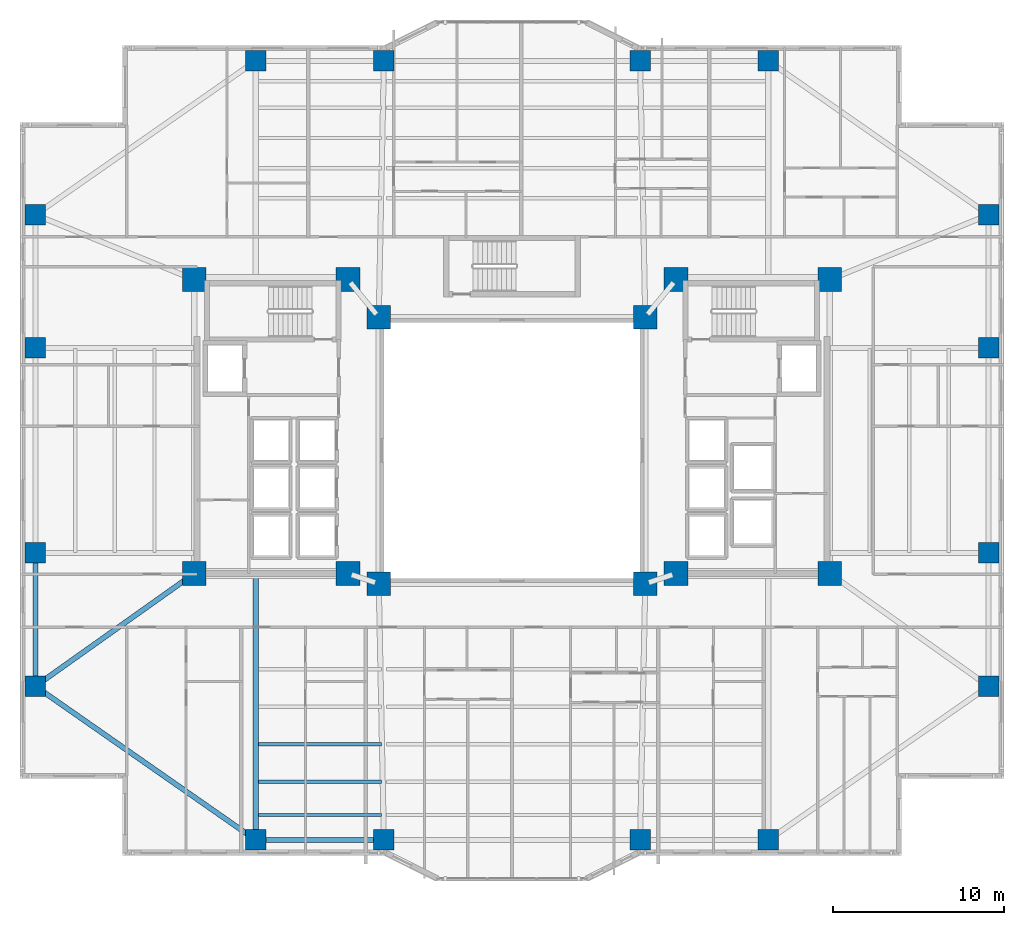
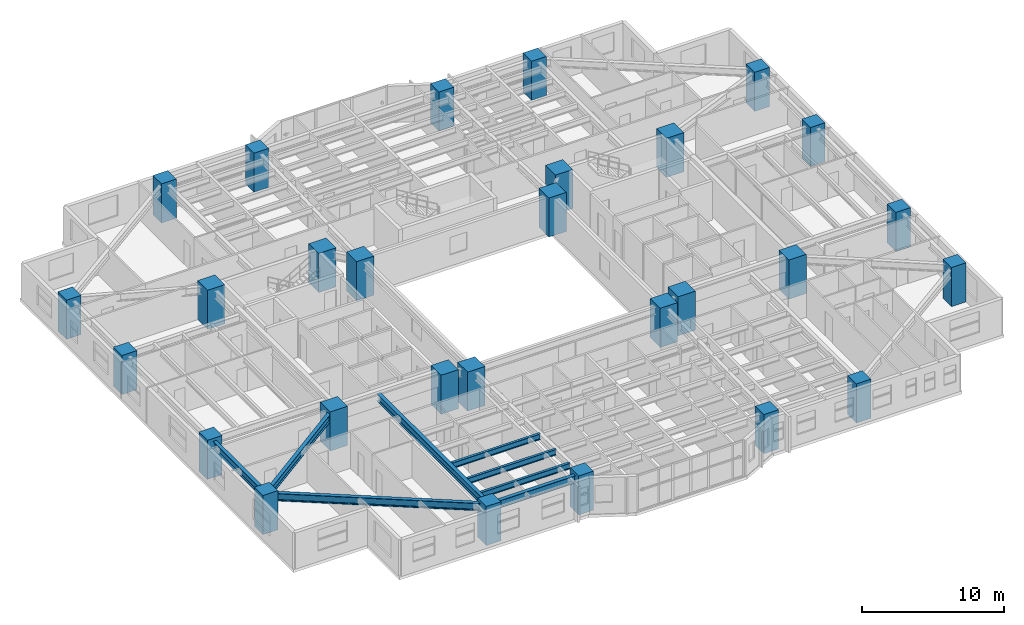
# One storey, part 1 of 22: 28 columns, 8 beams.
"""IFC4 building model written with IfcOpenShell, lengths in metres."""

import ifcopenshell
import ifcopenshell.guid

model = None  # the IFC model being written
_history = None  # IfcOwnerHistory: only IFC2X3 demands one
_inside = {}  # id of a spatial element -> (the spatial element, [elements in it])
_under = {}  # id of a project, library or spatial element -> (it, [spatial elements below it])
_declared = {}  # id of a project -> (the project, [libraries it declares])
_typed = {}  # id of a type object -> (the type object, [elements of that type])
_made_of = {}  # id of a material, layer set ... -> (it, [elements and type objects made of it])


def new_model(schema):
    """Start an empty IFC model of exactly this schema.

    Asked for "IFC4X3", IfcOpenShell would pick the latest addendum, in which some entities
    have other attributes; the version numbers below select the first issue.
    IFC2X3 requires an IfcOwnerHistory on every rooted entity: one is made here for all.
    """
    global model, _history
    if schema == "IFC4X3":
        model = ifcopenshell.file(schema_version=(4, 3, 0, 0))
    else:
        model = ifcopenshell.file(schema=schema)
    _inside.clear()
    _under.clear()
    _declared.clear()
    _typed.clear()
    _made_of.clear()
    _history = None
    if model.schema == "IFC2X3":
        org = make("IfcOrganization", Name="unknown")
        user = make(
            "IfcPersonAndOrganization",
            ThePerson=make("IfcPerson", FamilyName="unknown"),
            TheOrganization=org,
        )
        app = make(
            "IfcApplication",
            ApplicationDeveloper=org,
            Version="unknown",
            ApplicationFullName="unknown",
            ApplicationIdentifier="unknown",
        )
        _history = make(
            "IfcOwnerHistory",
            OwningUser=user,
            OwningApplication=app,
            ChangeAction="ADDED",
            CreationDate=0,
        )
    return model


def make(cls, **values):
    """One entity of the class cls with the attributes given. An attribute that is None is left unset."""
    return model.create_entity(
        cls, **{name: value for name, value in values.items() if value is not None}
    )


def rooted(cls, **values):
    """An entity with a GlobalId (a new one), such as an element, a storey or a relation."""
    return make(cls, GlobalId=ifcopenshell.guid.new(), OwnerHistory=_history, **values)


def si_unit(unit_type, name, prefix=None):
    """IfcSIUnit, for example si_unit("LENGTHUNIT", "METRE", prefix="MILLI")."""
    return make("IfcSIUnit", UnitType=unit_type, Prefix=prefix, Name=name)


def assignment(units):
    """IfcUnitAssignment: the units of a project."""
    return None if units is None else make("IfcUnitAssignment", Units=units)


def point(xyz):
    """IfcCartesianPoint."""
    return None if xyz is None else make("IfcCartesianPoint", Coordinates=xyz)


def direction(xyz):
    """IfcDirection."""
    return None if xyz is None else make("IfcDirection", DirectionRatios=xyz)


def frame(location, z_axis=None, x_axis=None):
    """IfcAxis2Placement3D, a coordinate frame: its origin and axes. An axis left out is left unset."""
    return make(
        "IfcAxis2Placement3D",
        Location=point(location),
        Axis=direction(z_axis),
        RefDirection=direction(x_axis),
    )


def frame_2d(location, x_axis=None):
    """IfcAxis2Placement2D, a coordinate frame in the plane: its origin and x axis."""
    return make(
        "IfcAxis2Placement2D", Location=point(location), RefDirection=direction(x_axis)
    )


def origin():
    """The frame at (0, 0, 0) with its axes left unset."""
    return frame((0.0, 0.0, 0.0))


def origin_2d():
    """The frame at (0, 0) in the plane with its x axis left unset."""
    return frame_2d((0.0, 0.0))


def place(relative_to, where):
    """IfcLocalPlacement: puts the frame where relative to a parent placement (None: the world)."""
    return make(
        "IfcLocalPlacement", PlacementRelTo=relative_to, RelativePlacement=where
    )


def context(
    kind, dimensions, precision=None, world=None, true_north=None, identifier=None
):
    """IfcGeometricRepresentationContext, for example the 3D "Model" context."""
    return make(
        "IfcGeometricRepresentationContext",
        ContextIdentifier=identifier,
        ContextType=kind,
        CoordinateSpaceDimension=dimensions,
        Precision=precision,
        WorldCoordinateSystem=world,
        TrueNorth=true_north,
    )


def subcontext(parent, identifier, kind, view, scale=None):
    """IfcGeometricRepresentationSubContext, for example "Body" below "Model"."""
    return make(
        "IfcGeometricRepresentationSubContext",
        ContextIdentifier=identifier,
        ContextType=kind,
        ParentContext=parent,
        TargetScale=scale,
        TargetView=view,
    )


def project(units=None, contexts=None):
    """IfcProject with its units and contexts."""
    return rooted(
        "IfcProject",
        Name="project",
        RepresentationContexts=contexts,
        UnitsInContext=assignment(units),
    )


def spatial(cls, under=None, at=None, **own):
    """A site, building, storey or space (cls), placed at a placement, below another one or the project."""
    s = rooted(cls, ObjectPlacement=at, **own)
    if under is not None:
        _under.setdefault(under.id(), (under, []))[1].append(s)
    return s


def profile(cls, at=None, kind="AREA", **sizes):
    """A parametric profile (cls). Its sizes go by their IFC names, for example OverallWidth=200.0."""
    return make(cls, ProfileType=kind, Position=at, **sizes)


def rectangle(**sizes):
    """IfcRectangleProfileDef."""
    return profile("IfcRectangleProfileDef", **sizes)


def i_section(**sizes):
    """IfcIShapeProfileDef."""
    return profile("IfcIShapeProfileDef", **sizes)


def extrude(swept, where, along, depth):
    """IfcExtrudedAreaSolid: the profile swept, set in the frame where, extruded along a direction by depth."""
    return make(
        "IfcExtrudedAreaSolid",
        SweptArea=swept,
        Position=where,
        ExtrudedDirection=direction(along),
        Depth=depth,
    )


def shape(context_of_items, identifier, shape_type, items):
    """IfcShapeRepresentation: the items that make up one representation, for example the "Body"."""
    return make(
        "IfcShapeRepresentation",
        ContextOfItems=context_of_items,
        RepresentationIdentifier=identifier,
        RepresentationType=shape_type,
        Items=items,
    )


def material(Name=None, Category=None):
    """IfcMaterial."""
    return make("IfcMaterial", Name=Name, Category=Category)


def material_profile(
    of_material, cross_section, Name=None, Category=None, Priority=None
):
    """IfcMaterialProfile: a cross section and its material."""
    return make(
        "IfcMaterialProfile",
        Name=Name,
        Material=of_material,
        Profile=cross_section,
        Priority=Priority,
        Category=Category,
    )


def profile_set(profiles, Name=None, composite=None):
    """IfcMaterialProfileSet."""
    return make(
        "IfcMaterialProfileSet",
        Name=Name,
        MaterialProfiles=profiles,
        CompositeProfile=composite,
    )


def made_of(thing, what):
    """Note that an element or type object is made of a material, layer set ...; save() writes the relation."""
    if what is not None:
        _made_of.setdefault(what.id(), (what, []))[1].append(thing)
    return thing


def type_object(cls, material=None, **own):
    """A type object (cls), such as IfcWallType, which elements share."""
    return made_of(rooted(cls, **own), material)


def element(
    cls,
    number,
    at=None,
    inside=None,
    cuts=None,
    type_object=None,
    material=None,
    context=None,
    identifier="Body",
    shape_type=None,
    held_by="IfcProductDefinitionShape",
    body=None,
    shapes=None,
    **own,
):
    """One element of the class cls, such as IfcWall. Its Tag is "e" and its number.

    at: its placement. inside: the storey or other place that contains it. cuts: it is an
    opening in that element (IfcRelVoidsElement). A single representation is given by context,
    identifier, shape_type and body (its items); several are given by shapes. held_by: the class
    of the entity that holds the representations. save() writes the other relations.
    """
    e = rooted(cls, Tag="e%d" % number, ObjectPlacement=at, **own)
    if body is not None:
        shapes = [shape(context, identifier, shape_type, body)]
    if shapes is not None:
        e.Representation = make(held_by, Representations=shapes)
    if inside is not None:
        _inside.setdefault(inside.id(), (inside, []))[1].append(e)
    if cuts is not None:
        rooted(
            "IfcRelVoidsElement", RelatingBuildingElement=cuts, RelatedOpeningElement=e
        )
    if type_object is not None:
        _typed.setdefault(type_object.id(), (type_object, []))[1].append(e)
    return made_of(e, material)


def aggregate(whole, parts):
    """IfcRelAggregates: a whole, such as a stair, and the parts it consists of."""
    return rooted("IfcRelAggregates", RelatingObject=whole, RelatedObjects=parts)


def save(model, path):
    """Write the relations noted so far, then the file.

    IfcRelAggregates (storeys below a building ...), IfcRelContainedInSpatialStructure (elements
    in a storey), IfcRelDefinesByType, IfcRelAssociatesMaterial and IfcRelDeclares: one each for
    every whole, place, type object, material and project.
    """
    for whole, parts in _under.values():
        aggregate(whole, parts)
    for where, things in _inside.values():
        rooted(
            "IfcRelContainedInSpatialStructure",
            RelatedElements=things,
            RelatingStructure=where,
        )
    for kind, things in _typed.values():
        rooted("IfcRelDefinesByType", RelatedObjects=things, RelatingType=kind)
    for what, things in _made_of.values():
        rooted("IfcRelAssociatesMaterial", RelatedObjects=things, RelatingMaterial=what)
    for by, libraries in _declared.values():
        rooted("IfcRelDeclares", RelatingContext=by, RelatedDefinitions=libraries)
    model.write(path)


model = new_model("IFC4")

# Units and contexts
model_context = context("Model", 3, precision=1e-05, world=origin(), true_north=direction((0.0, 1.0)))
body_context = subcontext(model_context, "Body", "Model", "MODEL_VIEW")
ifc_project = project(units=[si_unit("LENGTHUNIT", "METRE"), si_unit("AREAUNIT", "SQUARE_METRE"), si_unit("VOLUMEUNIT", "CUBIC_METRE"), si_unit("PLANEANGLEUNIT", "RADIAN"), si_unit("MASSUNIT", "GRAM", prefix="KILO")], contexts=[model_context])

# Site, building, storey
site_placement = place(None, origin())
site = spatial("IfcSite", under=ifc_project, at=site_placement, CompositionType="ELEMENT")
building_placement = place(site_placement, origin())
building = spatial("IfcBuilding", under=site, at=building_placement, Name="Tarnavaz Court Tower", CompositionType="ELEMENT")
storey_placement = place(building_placement, frame((0.0, 0.0, 57.5)))
storey = spatial("IfcBuildingStorey", under=building, at=storey_placement, Name="L15", CompositionType="ELEMENT", Elevation=57.5)

# Columns
ifc_material_1 = material(Name="Concrete C60/75", Category="concrete")
ifc_material_profile_1 = material_profile(ifc_material_1, rectangle(XDim=1.199951171875, YDim=1.199951171875, at=origin_2d()), Name="RC 1200X1200")
ifc_profile_set_1 = profile_set([ifc_material_profile_1], Name="Concrete C60/75")
column_type_1 = type_object("IfcColumnType", Name="CL-RC1200", PredefinedType="COLUMN", material=ifc_profile_set_1)
for number, where, z_axis, x_axis, name in (
    (1, (-15.0, 22.800048828125, 0.0), (0.0, 0.0, 1.0), (1.0, 0.0, 0.0), "L15 Column PN-1"),
    (2, (-7.5, 22.800048828125, 0.0), (0.0, 0.0, 1.0), (1.0, 0.0, 0.0), "L15 Column PN-2"),
    (3, (7.5, 22.800048828125, 0.0), (0.0, 0.0, 1.0), (1.0, 0.0, 0.0), "L15 Column PN-3"),
    (4, (15.0, 22.800048828125, 0.0), (0.0, 0.0, 1.0), (1.0, 0.0, 0.0), "L15 Column PN-4"),
    (5, (-15.0, -22.800048828125, 0.0), (0.0, 0.0, 1.0), (1.0, 0.0, 0.0), "L15 Column PS-1"),
    (6, (-7.5, -22.800048828125, 0.0), (0.0, 0.0, 1.0), (1.0, 0.0, 0.0), "L15 Column PS-2"),
    (7, (7.5, -22.800048828125, 0.0), (0.0, 0.0, 1.0), (1.0, 0.0, 0.0), "L15 Column PS-3"),
    (8, (15.0, -22.800048828125, 0.0), (0.0, 0.0, 1.0), (1.0, 0.0, 0.0), "L15 Column PS-4"),
    (9, (27.89990234375, -13.800048828125, 0.0), (0.0, 0.0, 1.0), (1.0, 0.0, 0.0), "L15 Column PE-1"),
    (10, (27.89990234375, -6.0, 0.0), (0.0, 0.0, 1.0), (1.0, 0.0, 0.0), "L15 Column PE-2"),
    (11, (27.89990234375, 6.0, 0.0), (0.0, 0.0, 1.0), (1.0, 0.0, 0.0), "L15 Column PE-3"),
    (12, (27.89990234375, 13.800048828125, 0.0), (0.0, 0.0, 1.0), (1.0, 0.0, 0.0), "L15 Column PE-4"),
    (13, (-27.89990234375, -13.800048828125, 0.0), (0.0, 0.0, 1.0), (1.0, 0.0, 0.0), "L15 Column PW-1"),
    (14, (-27.89990234375, -6.0, 0.0), (0.0, 0.0, 1.0), (1.0, 0.0, 0.0), "L15 Column PW-2"),
    (15, (-27.89990234375, 6.0, 0.0), (0.0, 0.0, 1.0), (1.0, 0.0, 0.0), "L15 Column PW-3"),
    (16, (-27.89990234375, 13.800048828125, 0.0), (0.0, 0.0, 1.0), (1.0, 0.0, 0.0), "L15 Column PW-4"),
):
    element("IfcColumn", number, at=place(storey_placement, frame(where, z_axis=z_axis, x_axis=x_axis)), inside=storey, type_object=column_type_1, Name=name, PredefinedType="COLUMN", context=body_context, shape_type="SweptSolid", body=[
        extrude(rectangle(XDim=1.199951171875, YDim=1.199951171875, at=origin_2d()), origin(), (0.0, 0.0, 1.0), 3.35009765625),
    ])
ifc_material_profile_2 = material_profile(ifc_material_1, rectangle(XDim=1.39990234375, YDim=1.39990234375, at=origin_2d()), Name="RC 1400X1400")
ifc_profile_set_2 = profile_set([ifc_material_profile_2], Name="Concrete C60/75")
column_type_2 = type_object("IfcColumnType", Name="CL-RC1400", PredefinedType="COLUMN", material=ifc_profile_set_2)
for number, where, z_axis, x_axis, name in (
    (17, (-7.800048828125, -7.800048828125, 0.0), (0.0, 0.0, 1.0), (1.0, 0.0, 0.0), "L15 Column IW-SW"),
    (18, (7.800048828125, -7.800048828125, 0.0), (0.0, 0.0, 1.0), (1.0, 0.0, 0.0), "L15 Column IW-SE"),
    (19, (-7.800048828125, 7.800048828125, 0.0), (0.0, 0.0, 1.0), (1.0, 0.0, 0.0), "L15 Column IW-NW"),
    (20, (7.800048828125, 7.800048828125, 0.0), (0.0, 0.0, 1.0), (1.0, 0.0, 0.0), "L15 Column IW-NE"),
    (21, (-9.60009765625, -7.199951171875, 0.0), (0.0, 0.0, 1.0), (1.0, 0.0, 0.0), "L15 Column CW-SI"),
    (22, (-9.60009765625, 10.0, 0.0), (0.0, 0.0, 1.0), (1.0, 0.0, 0.0), "L15 Column CW-NI"),
    (23, (9.60009765625, -7.199951171875, 0.0), (0.0, 0.0, 1.0), (1.0, 0.0, 0.0), "L15 Column CE-SI"),
    (24, (9.60009765625, 10.0, 0.0), (0.0, 0.0, 1.0), (1.0, 0.0, 0.0), "L15 Column CE-NI"),
    (25, (-18.60009765625, -7.199951171875, 0.0), (0.0, 0.0, 1.0), (1.0, 0.0, 0.0), "L15 Column CW-SO"),
    (26, (-18.60009765625, 10.0, 0.0), (0.0, 0.0, 1.0), (1.0, 0.0, 0.0), "L15 Column CW-NO"),
    (27, (18.60009765625, -7.199951171875, 0.0), (0.0, 0.0, 1.0), (1.0, 0.0, 0.0), "L15 Column CE-SO"),
    (28, (18.60009765625, 10.0, 0.0), (0.0, 0.0, 1.0), (1.0, 0.0, 0.0), "L15 Column CE-NO"),
):
    element("IfcColumn", number, at=place(storey_placement, frame(where, z_axis=z_axis, x_axis=x_axis)), inside=storey, type_object=column_type_2, Name=name, PredefinedType="COLUMN", context=body_context, shape_type="SweptSolid", body=[
        extrude(rectangle(XDim=1.39990234375, YDim=1.39990234375, at=origin_2d()), origin(), (0.0, 0.0, 1.0), 3.35009765625),
    ])

# Beams
ifc_material_2 = material(Name="Steel S355", Category="steel")
ifc_material_profile_3 = material_profile(ifc_material_2, i_section(OverallWidth=0.300048828125, OverallDepth=0.64990234375, WebThickness=0.01611328125, FlangeThickness=0.031005859375, FilletRadius=0.027099609375, at=origin_2d()), Name="HEB 650")
ifc_profile_set_3 = profile_set([ifc_material_profile_3], Name="Steel S355")
beam_type_1 = type_object("IfcBeamType", Name="BM-G-HEB650", PredefinedType="USERDEFINED", material=ifc_profile_set_3)
beam_1_placement = place(storey_placement, frame((-15.0, -7.239990234375, 2.77490234375), z_axis=(0.0, -1.0, 0.0), x_axis=(1.0, 0.0, 0.0)))
element("IfcBeam", 29, at=beam_1_placement, inside=storey, type_object=beam_type_1, Name="L15 Beam RG-05", ObjectType="GIRDER", PredefinedType="USERDEFINED", context=body_context, shape_type="SweptSolid", body=[
    extrude(i_section(OverallWidth=0.300048828125, OverallDepth=0.64990234375, WebThickness=0.01611328125, FlangeThickness=0.031005859375, FilletRadius=0.027099609375, at=origin_2d()), origin(), (0.0, 0.0, 1.0), 15.340087890625),
])
beam_2_placement = place(storey_placement, frame((-18.779296875, -7.327392578125, 2.77490234375), z_axis=(-0.815520027245, -0.578728852886, 0.0), x_axis=(0.578728852886, -0.815520027245, 0.0)))
element("IfcBeam", 30, at=beam_2_placement, inside=storey, type_object=beam_type_1, Name="L15 Beam RG-15", ObjectType="GIRDER", PredefinedType="USERDEFINED", context=body_context, shape_type="SweptSolid", body=[
    extrude(i_section(OverallWidth=0.300048828125, OverallDepth=0.64990234375, WebThickness=0.01611328125, FlangeThickness=0.031005859375, FilletRadius=0.027099609375, at=origin_2d()), origin(), (0.0, 0.0, 1.0), 10.964111328125),
])
ifc_material_profile_4 = material_profile(ifc_material_2, i_section(OverallWidth=0.199951171875, OverallDepth=0.5, WebThickness=0.01025390625, FlangeThickness=0.01611328125, FilletRadius=0.02099609375, at=origin_2d()), Name="IPE 500")
ifc_profile_set_4 = profile_set([ifc_material_profile_4], Name="Steel S355")
beam_type_2 = type_object("IfcBeamType", Name="BM-J-IPE500", PredefinedType="JOIST", material=ifc_profile_set_4)
for number, where, z_axis, x_axis, name in (
    (31, (-14.85009765625, -17.18798828125, 2.85009765625), (1.0, 0.0, 0.0), (0.0, 1.0, 0.0), "L15 Beam JS3-1"),
    (32, (-14.85009765625, -19.384033203125, 2.85009765625), (1.0, 0.0, 0.0), (0.0, 1.0, 0.0), "L15 Beam JS4-1"),
    (33, (-14.85009765625, -21.3359375, 2.85009765625), (1.0, 0.0, 0.0), (0.0, 1.0, 0.0), "L15 Beam JS5-1"),
):
    element("IfcBeam", number, at=place(storey_placement, frame(where, z_axis=z_axis, x_axis=x_axis)), inside=storey, type_object=beam_type_2, Name=name, PredefinedType="JOIST", context=body_context, shape_type="SweptSolid", body=[
        extrude(i_section(OverallWidth=0.199951171875, OverallDepth=0.5, WebThickness=0.01025390625, FlangeThickness=0.01611328125, FilletRadius=0.02099609375, at=origin_2d()), origin(), (0.0, 0.0, 1.0), 7.2001953125),
    ])
ifc_material_profile_5 = material_profile(ifc_material_2, i_section(OverallWidth=0.300048828125, OverallDepth=0.639892578125, WebThickness=0.013427734375, FlangeThickness=0.02587890625, FilletRadius=0.027099609375, at=origin_2d()), Name="HEA 650")
ifc_profile_set_5 = profile_set([ifc_material_profile_5], Name="Steel S355")
beam_type_3 = type_object("IfcBeamType", Name="BM-SP-HEA650", PredefinedType="SPANDREL", material=ifc_profile_set_5)
beam_3_placement = place(storey_placement, frame((-14.780029296875, -22.800048828125, 2.780029296875), z_axis=(1.0, 0.0, 0.0), x_axis=(0.0, 1.0, 0.0)))
element("IfcBeam", 34, at=beam_3_placement, inside=storey, type_object=beam_type_3, Name="L15 Beam PR-PS-1-PS-2", PredefinedType="SPANDREL", context=body_context, shape_type="SweptSolid", body=[
    extrude(i_section(OverallWidth=0.300048828125, OverallDepth=0.639892578125, WebThickness=0.013427734375, FlangeThickness=0.02587890625, FilletRadius=0.027099609375, at=origin_2d()), origin(), (0.0, 0.0, 1.0), 7.06005859375),
])
beam_4_placement = place(storey_placement, frame((-27.89990234375, -13.580078125, 2.780029296875), z_axis=(0.0, 1.0, 0.0), x_axis=(-1.0, 0.0, 0.0)))
element("IfcBeam", 35, at=beam_4_placement, inside=storey, type_object=beam_type_3, Name="L15 Beam PR-PW-1-PW-2", PredefinedType="SPANDREL", context=body_context, shape_type="SweptSolid", body=[
    extrude(i_section(OverallWidth=0.300048828125, OverallDepth=0.639892578125, WebThickness=0.013427734375, FlangeThickness=0.02587890625, FilletRadius=0.027099609375, at=origin_2d()), origin(), (0.0, 0.0, 1.0), 7.360107421875),
])
beam_5_placement = place(storey_placement, frame((-15.180419921875, -22.674072265625, 2.780029296875), z_axis=(-0.820123643324, 0.572186341729, 0.0), x_axis=(-0.572186341729, -0.820123643324, 0.0)))
element("IfcBeam", 36, at=beam_5_placement, inside=storey, type_object=beam_type_3, Name="L15 Beam PR-PS-1-PW-1", PredefinedType="SPANDREL", context=body_context, shape_type="SweptSolid", body=[
    extrude(i_section(OverallWidth=0.300048828125, OverallDepth=0.639892578125, WebThickness=0.013427734375, FlangeThickness=0.02587890625, FilletRadius=0.027099609375, at=origin_2d()), origin(), (0.0, 0.0, 1.0), 15.289306640625),
])

save(model, "model.ifc")
